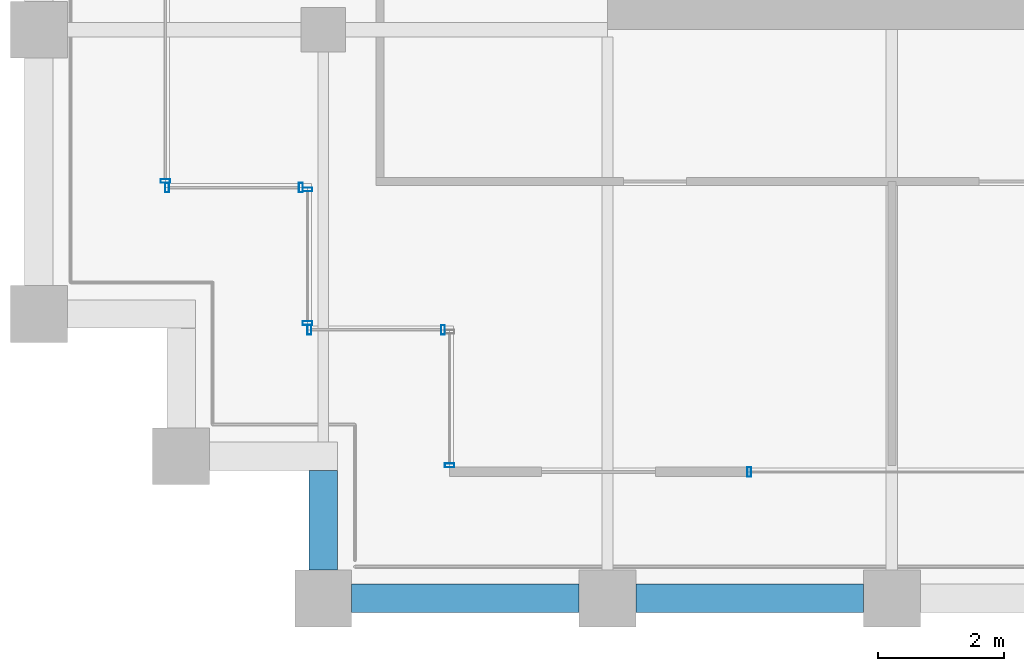
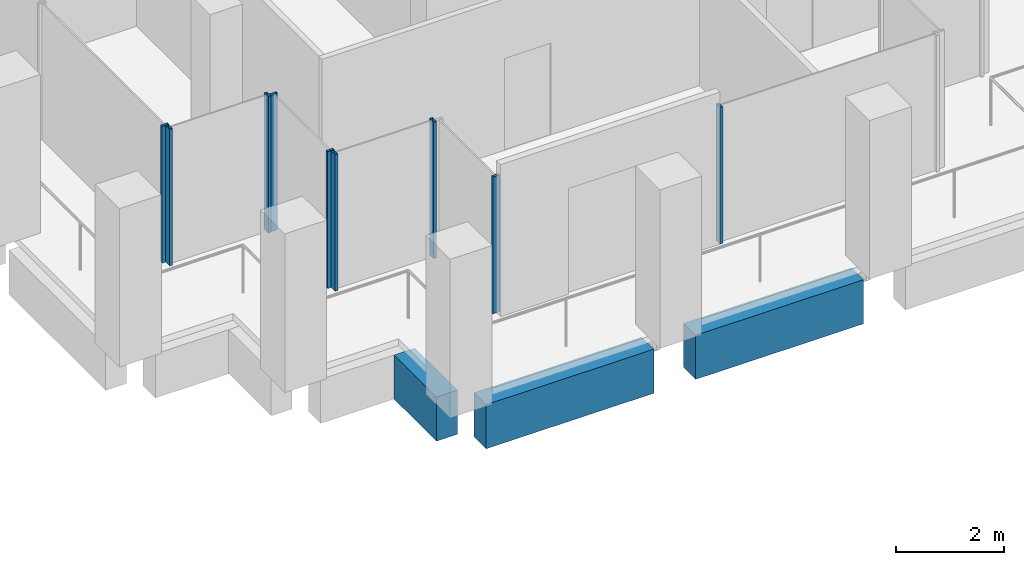
# One storey, part 28 of 40: 9 members, 3 beams, 6 elements without a shape of their own.
"""IFC4 building model written with IfcOpenShell, lengths in metres."""

import ifcopenshell
import ifcopenshell.guid

model = None  # the IFC model being written
_history = None  # IfcOwnerHistory: only IFC2X3 demands one
_inside = {}  # id of a spatial element -> (the spatial element, [elements in it])
_under = {}  # id of a project, library or spatial element -> (it, [spatial elements below it])
_declared = {}  # id of a project -> (the project, [libraries it declares])
_typed = {}  # id of a type object -> (the type object, [elements of that type])
_made_of = {}  # id of a material, layer set ... -> (it, [elements and type objects made of it])


def new_model(schema):
    """Start an empty IFC model of exactly this schema.

    Asked for "IFC4X3", IfcOpenShell would pick the latest addendum, in which some entities
    have other attributes; the version numbers below select the first issue.
    IFC2X3 requires an IfcOwnerHistory on every rooted entity: one is made here for all.
    """
    global model, _history
    if schema == "IFC4X3":
        model = ifcopenshell.file(schema_version=(4, 3, 0, 0))
    else:
        model = ifcopenshell.file(schema=schema)
    _inside.clear()
    _under.clear()
    _declared.clear()
    _typed.clear()
    _made_of.clear()
    _history = None
    if model.schema == "IFC2X3":
        org = make("IfcOrganization", Name="unknown")
        user = make(
            "IfcPersonAndOrganization",
            ThePerson=make("IfcPerson", FamilyName="unknown"),
            TheOrganization=org,
        )
        app = make(
            "IfcApplication",
            ApplicationDeveloper=org,
            Version="unknown",
            ApplicationFullName="unknown",
            ApplicationIdentifier="unknown",
        )
        _history = make(
            "IfcOwnerHistory",
            OwningUser=user,
            OwningApplication=app,
            ChangeAction="ADDED",
            CreationDate=0,
        )
    return model


def make(cls, **values):
    """One entity of the class cls with the attributes given. An attribute that is None is left unset."""
    return model.create_entity(
        cls, **{name: value for name, value in values.items() if value is not None}
    )


def rooted(cls, **values):
    """An entity with a GlobalId (a new one), such as an element, a storey or a relation."""
    return make(cls, GlobalId=ifcopenshell.guid.new(), OwnerHistory=_history, **values)


def si_unit(unit_type, name, prefix=None):
    """IfcSIUnit, for example si_unit("LENGTHUNIT", "METRE", prefix="MILLI")."""
    return make("IfcSIUnit", UnitType=unit_type, Prefix=prefix, Name=name)


def assignment(units):
    """IfcUnitAssignment: the units of a project."""
    return None if units is None else make("IfcUnitAssignment", Units=units)


def point(xyz):
    """IfcCartesianPoint."""
    return None if xyz is None else make("IfcCartesianPoint", Coordinates=xyz)


def direction(xyz):
    """IfcDirection."""
    return None if xyz is None else make("IfcDirection", DirectionRatios=xyz)


def frame(location, z_axis=None, x_axis=None):
    """IfcAxis2Placement3D, a coordinate frame: its origin and axes. An axis left out is left unset."""
    return make(
        "IfcAxis2Placement3D",
        Location=point(location),
        Axis=direction(z_axis),
        RefDirection=direction(x_axis),
    )


def frame_2d(location, x_axis=None):
    """IfcAxis2Placement2D, a coordinate frame in the plane: its origin and x axis."""
    return make(
        "IfcAxis2Placement2D", Location=point(location), RefDirection=direction(x_axis)
    )


def origin():
    """The frame at (0, 0, 0) with its axes left unset."""
    return frame((0.0, 0.0, 0.0))


def origin_2d():
    """The frame at (0, 0) in the plane with its x axis left unset."""
    return frame_2d((0.0, 0.0))


def place(relative_to, where):
    """IfcLocalPlacement: puts the frame where relative to a parent placement (None: the world)."""
    return make(
        "IfcLocalPlacement", PlacementRelTo=relative_to, RelativePlacement=where
    )


def context(
    kind, dimensions, precision=None, world=None, true_north=None, identifier=None
):
    """IfcGeometricRepresentationContext, for example the 3D "Model" context."""
    return make(
        "IfcGeometricRepresentationContext",
        ContextIdentifier=identifier,
        ContextType=kind,
        CoordinateSpaceDimension=dimensions,
        Precision=precision,
        WorldCoordinateSystem=world,
        TrueNorth=true_north,
    )


def subcontext(parent, identifier, kind, view, scale=None):
    """IfcGeometricRepresentationSubContext, for example "Body" below "Model"."""
    return make(
        "IfcGeometricRepresentationSubContext",
        ContextIdentifier=identifier,
        ContextType=kind,
        ParentContext=parent,
        TargetScale=scale,
        TargetView=view,
    )


def project(units=None, contexts=None):
    """IfcProject with its units and contexts."""
    return rooted(
        "IfcProject",
        Name="project",
        RepresentationContexts=contexts,
        UnitsInContext=assignment(units),
    )


def spatial(cls, under=None, at=None, **own):
    """A site, building, storey or space (cls), placed at a placement, below another one or the project."""
    s = rooted(cls, ObjectPlacement=at, **own)
    if under is not None:
        _under.setdefault(under.id(), (under, []))[1].append(s)
    return s


def profile(cls, at=None, kind="AREA", **sizes):
    """A parametric profile (cls). Its sizes go by their IFC names, for example OverallWidth=200.0."""
    return make(cls, ProfileType=kind, Position=at, **sizes)


def rectangle(**sizes):
    """IfcRectangleProfileDef."""
    return profile("IfcRectangleProfileDef", **sizes)


def hollow_rectangle(**sizes):
    """IfcRectangleHollowProfileDef."""
    return profile("IfcRectangleHollowProfileDef", **sizes)


def extrude(swept, where, along, depth):
    """IfcExtrudedAreaSolid: the profile swept, set in the frame where, extruded along a direction by depth."""
    return make(
        "IfcExtrudedAreaSolid",
        SweptArea=swept,
        Position=where,
        ExtrudedDirection=direction(along),
        Depth=depth,
    )


def shape(context_of_items, identifier, shape_type, items):
    """IfcShapeRepresentation: the items that make up one representation, for example the "Body"."""
    return make(
        "IfcShapeRepresentation",
        ContextOfItems=context_of_items,
        RepresentationIdentifier=identifier,
        RepresentationType=shape_type,
        Items=items,
    )


def material(Name=None, Category=None):
    """IfcMaterial."""
    return make("IfcMaterial", Name=Name, Category=Category)


def material_profile(
    of_material, cross_section, Name=None, Category=None, Priority=None
):
    """IfcMaterialProfile: a cross section and its material."""
    return make(
        "IfcMaterialProfile",
        Name=Name,
        Material=of_material,
        Profile=cross_section,
        Priority=Priority,
        Category=Category,
    )


def profile_set(profiles, Name=None, composite=None):
    """IfcMaterialProfileSet."""
    return make(
        "IfcMaterialProfileSet",
        Name=Name,
        MaterialProfiles=profiles,
        CompositeProfile=composite,
    )


def made_of(thing, what):
    """Note that an element or type object is made of a material, layer set ...; save() writes the relation."""
    if what is not None:
        _made_of.setdefault(what.id(), (what, []))[1].append(thing)
    return thing


def type_object(cls, material=None, **own):
    """A type object (cls), such as IfcWallType, which elements share."""
    return made_of(rooted(cls, **own), material)


def element(
    cls,
    number,
    at=None,
    inside=None,
    cuts=None,
    type_object=None,
    material=None,
    context=None,
    identifier="Body",
    shape_type=None,
    held_by="IfcProductDefinitionShape",
    body=None,
    shapes=None,
    **own,
):
    """One element of the class cls, such as IfcWall. Its Tag is "e" and its number.

    at: its placement. inside: the storey or other place that contains it. cuts: it is an
    opening in that element (IfcRelVoidsElement). A single representation is given by context,
    identifier, shape_type and body (its items); several are given by shapes. held_by: the class
    of the entity that holds the representations. save() writes the other relations.
    """
    e = rooted(cls, Tag="e%d" % number, ObjectPlacement=at, **own)
    if body is not None:
        shapes = [shape(context, identifier, shape_type, body)]
    if shapes is not None:
        e.Representation = make(held_by, Representations=shapes)
    if inside is not None:
        _inside.setdefault(inside.id(), (inside, []))[1].append(e)
    if cuts is not None:
        rooted(
            "IfcRelVoidsElement", RelatingBuildingElement=cuts, RelatedOpeningElement=e
        )
    if type_object is not None:
        _typed.setdefault(type_object.id(), (type_object, []))[1].append(e)
    return made_of(e, material)


def aggregate(whole, parts):
    """IfcRelAggregates: a whole, such as a stair, and the parts it consists of."""
    return rooted("IfcRelAggregates", RelatingObject=whole, RelatedObjects=parts)


def save(model, path):
    """Write the relations noted so far, then the file.

    IfcRelAggregates (storeys below a building ...), IfcRelContainedInSpatialStructure (elements
    in a storey), IfcRelDefinesByType, IfcRelAssociatesMaterial and IfcRelDeclares: one each for
    every whole, place, type object, material and project.
    """
    for whole, parts in _under.values():
        aggregate(whole, parts)
    for where, things in _inside.values():
        rooted(
            "IfcRelContainedInSpatialStructure",
            RelatedElements=things,
            RelatingStructure=where,
        )
    for kind, things in _typed.values():
        rooted("IfcRelDefinesByType", RelatedObjects=things, RelatingType=kind)
    for what, things in _made_of.values():
        rooted("IfcRelAssociatesMaterial", RelatedObjects=things, RelatingMaterial=what)
    for by, libraries in _declared.values():
        rooted("IfcRelDeclares", RelatingContext=by, RelatedDefinitions=libraries)
    model.write(path)


model = new_model("IFC4")

# Units and contexts
model_context = context("Model", 3, precision=1e-05, world=origin(), true_north=direction((0.0, 1.0)))
body_context = subcontext(model_context, "Body", "Model", "MODEL_VIEW")
ifc_project = project(units=[si_unit("LENGTHUNIT", "METRE"), si_unit("AREAUNIT", "SQUARE_METRE"), si_unit("VOLUMEUNIT", "CUBIC_METRE"), si_unit("PLANEANGLEUNIT", "RADIAN"), si_unit("MASSUNIT", "GRAM", prefix="KILO")], contexts=[model_context])

# Site, building, storey
site_placement = place(None, origin())
site = spatial("IfcSite", under=ifc_project, at=site_placement, CompositionType="ELEMENT")
building_placement = place(site_placement, origin())
building = spatial("IfcBuilding", under=site, at=building_placement, Name="Altepetl Exchange Towers", CompositionType="ELEMENT")
storey_placement = place(building_placement, frame((0.0, 0.0, 147.39990234375)))
storey = spatial("IfcBuildingStorey", under=building, at=storey_placement, Name="L36", CompositionType="ELEMENT", Elevation=147.39990234375)

# Curtain wall, member
ifc_material_1 = material(Name="Aluminium 6063-T6 glazing", Category="aluminium")
curtain_wall_type = type_object("IfcCurtainWallType", Name="Loggia glazing system", PredefinedType="NOTDEFINED", material=ifc_material_1)
curtain_wall_1_placement = place(storey_placement, origin())
curtain_wall_1 = element("IfcCurtainWall", 1, at=curtain_wall_1_placement, inside=storey, type_object=curtain_wall_type, Name="CW1 run", PredefinedType="NOTDEFINED")
ifc_material_2 = material(Name="Aluminium 6063-T6", Category="aluminium")
ifc_material_profile_1 = material_profile(ifc_material_2, hollow_rectangle(XDim=0.06005859375, YDim=0.14990234375, WallThickness=0.0029296875, at=origin_2d()), Name="Mullion 60x150 aluminium")
ifc_profile_set_1 = profile_set([ifc_material_profile_1], Name="Aluminium 6063-T6")
member_type = type_object("IfcMemberType", Name="Mullion 60x150 aluminium", PredefinedType="MULLION", material=ifc_profile_set_1)
member_1_placement = place(storey_placement, frame((101.0, 29.10498046875, 0.0), z_axis=(0.0, 0.0, 1.0), x_axis=(0.0, -1.0, 0.0)))
member_1 = element("IfcMember", 2, at=member_1_placement, type_object=member_type, Name="MU1 mullion", PredefinedType="MULLION", context=body_context, shape_type="SweptSolid", body=[
    extrude(hollow_rectangle(XDim=0.06005859375, YDim=0.14990234375, WallThickness=0.0029296875, at=origin_2d()), origin(), (0.0, 0.0, 1.0), 3.10009765625),
])
aggregate(curtain_wall_1, [member_1])

curtain_wall_2_placement = place(storey_placement, origin())
curtain_wall_2 = element("IfcCurtainWall", 3, at=curtain_wall_2_placement, inside=storey, type_object=curtain_wall_type, Name="CW1 run", PredefinedType="NOTDEFINED")
member_2_placement = place(storey_placement, frame((105.742431640625, 29.0, 0.0)))
member_2 = element("IfcMember", 4, at=member_2_placement, type_object=member_type, Name="MU1 mullion", PredefinedType="MULLION", context=body_context, shape_type="SweptSolid", body=[
    extrude(hollow_rectangle(XDim=0.06005859375, YDim=0.14990234375, WallThickness=0.0029296875, at=origin_2d()), origin(), (0.0, 0.0, 1.0), 3.10009765625),
])
aggregate(curtain_wall_2, [member_2])

curtain_wall_3_placement = place(storey_placement, origin())
curtain_wall_3 = element("IfcCurtainWall", 5, at=curtain_wall_3_placement, inside=storey, type_object=curtain_wall_type, Name="CW1 run", PredefinedType="NOTDEFINED")
member_3_placement = place(storey_placement, frame((96.5, 33.60498046875, 0.0), z_axis=(0.0, 0.0, 1.0), x_axis=(0.0, -1.0, 0.0)))
member_3 = element("IfcMember", 6, at=member_3_placement, type_object=member_type, Name="MU1 mullion", PredefinedType="MULLION", context=body_context, shape_type="SweptSolid", body=[
    extrude(hollow_rectangle(XDim=0.06005859375, YDim=0.14990234375, WallThickness=0.0029296875, at=origin_2d()), origin(), (0.0, 0.0, 1.0), 3.10009765625),
])
aggregate(curtain_wall_3, [member_3])

# Curtain wall, members
curtain_wall_4_placement = place(storey_placement, origin())
curtain_wall_4 = element("IfcCurtainWall", 7, at=curtain_wall_4_placement, inside=storey, type_object=curtain_wall_type, Name="CW1 run", PredefinedType="NOTDEFINED")
member_4_placement = place(storey_placement, frame((96.530029296875, 33.5, 0.0)))
member_4 = element("IfcMember", 8, at=member_4_placement, type_object=member_type, Name="MU1 mullion", PredefinedType="MULLION", context=body_context, shape_type="SweptSolid", body=[
    extrude(hollow_rectangle(XDim=0.06005859375, YDim=0.14990234375, WallThickness=0.0029296875, at=origin_2d()), origin(), (0.0, 0.0, 1.0), 3.10009765625),
])
member_5_placement = place(storey_placement, frame((98.64501953125, 33.5, 0.0)))
member_5 = element("IfcMember", 9, at=member_5_placement, type_object=member_type, Name="MU1 mullion", PredefinedType="MULLION", context=body_context, shape_type="SweptSolid", body=[
    extrude(hollow_rectangle(XDim=0.06005859375, YDim=0.14990234375, WallThickness=0.0029296875, at=origin_2d()), origin(), (0.0, 0.0, 1.0), 3.10009765625),
])
aggregate(curtain_wall_4, [member_4, member_5])

curtain_wall_5_placement = place(storey_placement, origin())
curtain_wall_5 = element("IfcCurtainWall", 10, at=curtain_wall_5_placement, inside=storey, type_object=curtain_wall_type, Name="CW1 run", PredefinedType="NOTDEFINED")
member_6_placement = place(storey_placement, frame((98.75, 33.469970703125, 0.0), z_axis=(0.0, 0.0, 1.0), x_axis=(0.0, -1.0, 0.0)))
member_6 = element("IfcMember", 11, at=member_6_placement, type_object=member_type, Name="MU1 mullion", PredefinedType="MULLION", context=body_context, shape_type="SweptSolid", body=[
    extrude(hollow_rectangle(XDim=0.06005859375, YDim=0.14990234375, WallThickness=0.0029296875, at=origin_2d()), origin(), (0.0, 0.0, 1.0), 3.10009765625),
])
member_7_placement = place(storey_placement, frame((98.75, 31.35498046875, 0.0), z_axis=(0.0, 0.0, 1.0), x_axis=(0.0, -1.0, 0.0)))
member_7 = element("IfcMember", 12, at=member_7_placement, type_object=member_type, Name="MU1 mullion", PredefinedType="MULLION", context=body_context, shape_type="SweptSolid", body=[
    extrude(hollow_rectangle(XDim=0.06005859375, YDim=0.14990234375, WallThickness=0.0029296875, at=origin_2d()), origin(), (0.0, 0.0, 1.0), 3.10009765625),
])
aggregate(curtain_wall_5, [member_6, member_7])

curtain_wall_6_placement = place(storey_placement, origin())
curtain_wall_6 = element("IfcCurtainWall", 13, at=curtain_wall_6_placement, inside=storey, type_object=curtain_wall_type, Name="CW1 run", PredefinedType="NOTDEFINED")
member_8_placement = place(storey_placement, frame((98.780029296875, 31.25, 0.0)))
member_8 = element("IfcMember", 14, at=member_8_placement, type_object=member_type, Name="MU1 mullion", PredefinedType="MULLION", context=body_context, shape_type="SweptSolid", body=[
    extrude(hollow_rectangle(XDim=0.06005859375, YDim=0.14990234375, WallThickness=0.0029296875, at=origin_2d()), origin(), (0.0, 0.0, 1.0), 3.10009765625),
])
member_9_placement = place(storey_placement, frame((100.89501953125, 31.25, 0.0)))
member_9 = element("IfcMember", 15, at=member_9_placement, type_object=member_type, Name="MU1 mullion", PredefinedType="MULLION", context=body_context, shape_type="SweptSolid", body=[
    extrude(hollow_rectangle(XDim=0.06005859375, YDim=0.14990234375, WallThickness=0.0029296875, at=origin_2d()), origin(), (0.0, 0.0, 1.0), 3.10009765625),
])
aggregate(curtain_wall_6, [member_8, member_9])

# Beams
ifc_material_3 = material(Name="Concrete C50/60 precast with tezontle facing", Category="concrete")
ifc_material_profile_2 = material_profile(ifc_material_3, rectangle(XDim=0.449951171875, YDim=1.0, at=origin_2d()), Name="450 x 1000")
ifc_profile_set_2 = profile_set([ifc_material_profile_2], Name="Concrete C50/60 precast with tezontle facing")
beam_type = type_object("IfcBeamType", Name="Spandrel beam 450x1000 tezontle", PredefinedType="SPANDREL", material=ifc_profile_set_2)
for number, where, z_axis, x_axis, name in (
    (16, (99.449951171875, 27.0, -0.64990234375), (1.0, 0.0, 0.0), (0.0, 1.0, 0.0), "sp:B:L36:000"),
    (17, (103.949951171875, 27.0, -0.64990234375), (1.0, 0.0, 0.0), (0.0, 1.0, 0.0), "sp:B:L36:001"),
):
    element("IfcBeam", number, at=place(storey_placement, frame(where, z_axis=z_axis, x_axis=x_axis)), inside=storey, type_object=beam_type, Name=name, PredefinedType="SPANDREL", context=body_context, shape_type="SweptSolid", body=[
        extrude(rectangle(XDim=0.449951171875, YDim=1.0, at=origin_2d()), origin(), (0.0, 0.0, 1.0), 3.60009765625),
    ])
beam_placement = place(storey_placement, frame((99.0, 29.02490234375, -0.64990234375), z_axis=(0.0, -1.0, 0.0), x_axis=(1.0, 0.0, 0.0)))
element("IfcBeam", 18, at=beam_placement, inside=storey, type_object=beam_type, Name="sp:B:L36:023", PredefinedType="SPANDREL", context=body_context, shape_type="SweptSolid", body=[
    extrude(rectangle(XDim=0.449951171875, YDim=1.0, at=origin_2d()), origin(), (0.0, 0.0, 1.0), 1.574951171875),
])

save(model, "model.ifc")
